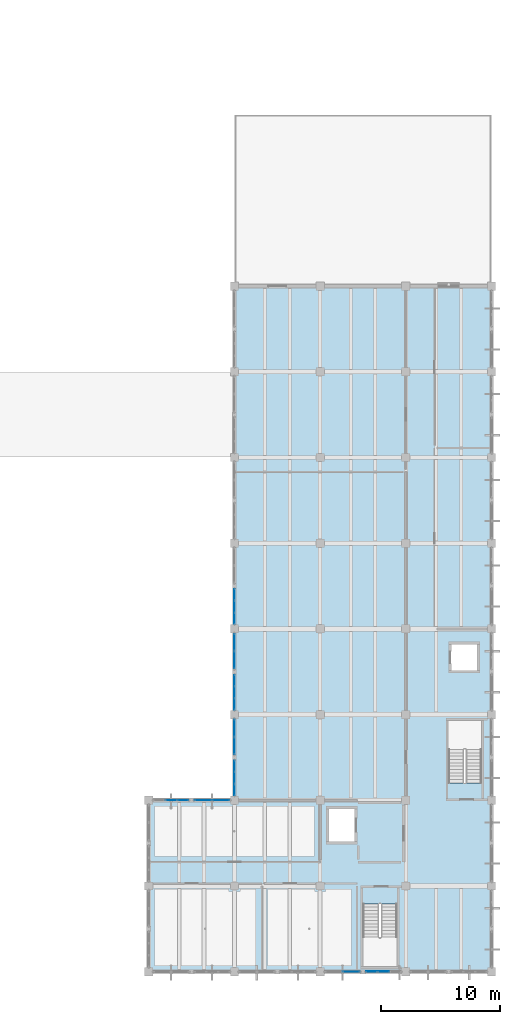
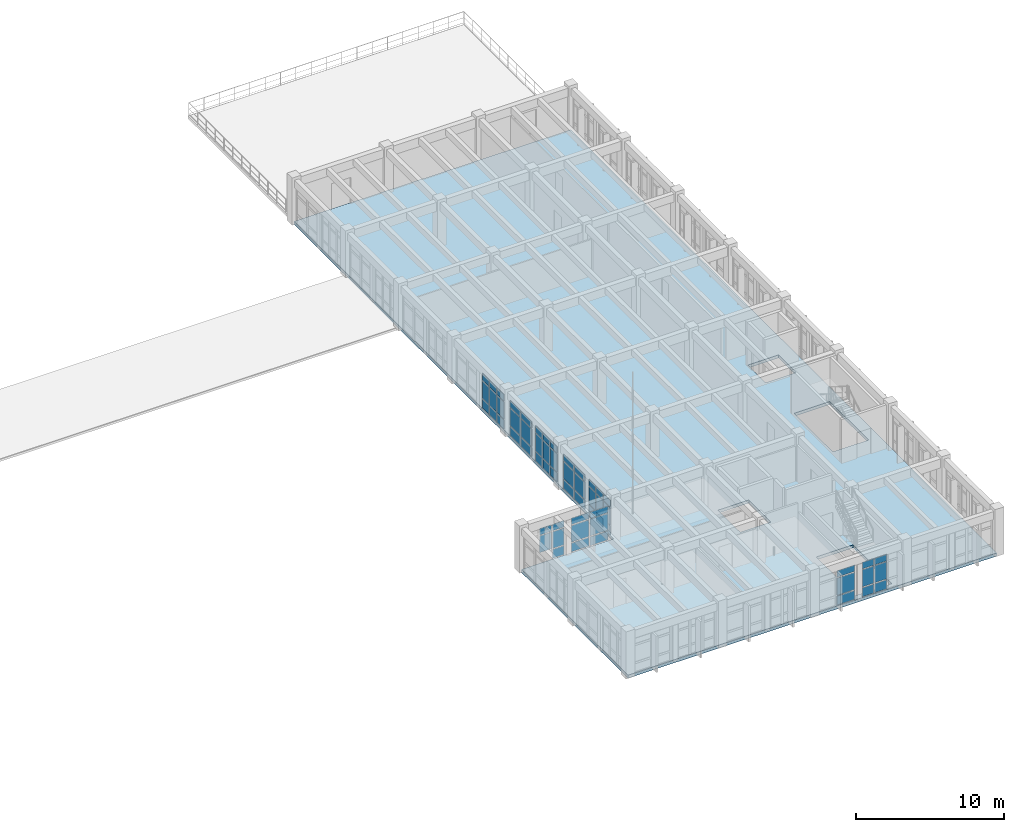
# One storey, part 26 of 54: 59 plates, 1 slab, 9 elements without a shape of their own.
"""IFC4 building model written with IfcOpenShell, lengths in metres."""

from ifc_helpers import new_model, si_unit, direction, frame, origin, origin_2d, place, context, subcontext, project, spatial, polyline, rectangle, outline, extrude, material, layer, layer_set, type_object, element, aggregate, save


model = new_model("IFC4")

# Units and contexts
model_context = context("Model", 3, precision=1e-05, world=origin(), true_north=direction((0.0, 1.0)))
body_context = subcontext(model_context, "Body", "Model", "MODEL_VIEW")
ifc_project = project(units=[si_unit("LENGTHUNIT", "METRE"), si_unit("AREAUNIT", "SQUARE_METRE"), si_unit("VOLUMEUNIT", "CUBIC_METRE"), si_unit("PLANEANGLEUNIT", "RADIAN"), si_unit("MASSUNIT", "GRAM", prefix="KILO")], contexts=[model_context])

# Site, building, storey
site_placement = place(None, origin())
site = spatial("IfcSite", under=ifc_project, at=site_placement, CompositionType="ELEMENT")
building_placement = place(site_placement, origin())
building = spatial("IfcBuilding", under=site, at=building_placement, Name="Koriwan Promenade Central Fire Station", CompositionType="ELEMENT")
storey_placement = place(building_placement, frame((0.0, 0.0, 9.60009765625)))
storey = spatial("IfcBuildingStorey", under=building, at=storey_placement, Name="L02", CompositionType="ELEMENT", Elevation=9.60009765625)

# Curtain wall, plates
ifc_material_1 = material(Name="Aluminium EN AW-6063-T6 and low-E glazing", Category="aluminium")
ifc_layer_1 = layer(ifc_material_1, 0.159912109375, Name="Aluminium EN AW-6063-T6 and low-E glazing")
ifc_layer_set_1 = layer_set([ifc_layer_1], Name="Aluminium EN AW-6063-T6 and low-E glazing")
curtain_wall_type_1 = type_object("IfcCurtainWallType", Name="CurtainWall_10_305x299", PredefinedType="USERDEFINED", material=ifc_layer_set_1)
curtain_wall_1_placement = place(storey_placement, origin())
curtain_wall_1 = element("IfcCurtainWall", 1, at=curtain_wall_1_placement, inside=storey, type_object=curtain_wall_type_1, Name="V5 L02 unitised curtain wall 212", ObjectType="UNITISED CURTAIN WALL", PredefinedType="USERDEFINED")
ifc_material_2 = material(Name="Low-E laminated double glazing", Category="glass")
ifc_layer_2 = layer(ifc_material_2, 0.028076171875, Name="Low-E laminated double glazing")
ifc_layer_set_2 = layer_set([ifc_layer_2], Name="Low-E laminated double glazing")
plate_type_1 = type_object("IfcPlateType", Name="CWPanel_28", PredefinedType="CURTAIN_PANEL", material=ifc_layer_set_2)
plate_1_placement = place(storey_placement, frame((161.017578125, 0.0, 0.079833984375), z_axis=(0.0, 0.0, 1.0), x_axis=(-1.0, 0.0, 0.0)))
plate_1 = element("IfcPlate", 2, at=plate_1_placement, type_object=plate_type_1, Name="CW-10 panel 1.1", PredefinedType="CURTAIN_PANEL", context=body_context, shape_type="SweptSolid", body=[
    extrude(rectangle(XDim=1.405029296875, YDim=0.028076171875, at=origin_2d()), origin(), (0.0, 0.0, 1.0), 0.72998046875),
])
plate_2_placement = place(storey_placement, frame((161.017578125, 0.0, 0.89013671875), z_axis=(0.0, 0.0, 1.0), x_axis=(-1.0, 0.0, 0.0)))
plate_2 = element("IfcPlate", 3, at=plate_2_placement, type_object=plate_type_1, Name="CW-10 panel 1.2", PredefinedType="CURTAIN_PANEL", context=body_context, shape_type="SweptSolid", body=[
    extrude(rectangle(XDim=1.405029296875, YDim=0.028076171875, at=origin_2d()), origin(), (0.0, 0.0, 1.0), 1.409912109375),
])
plate_3_placement = place(storey_placement, frame((161.017578125, 0.0, 2.3798828125), z_axis=(0.0, 0.0, 1.0), x_axis=(-1.0, 0.0, 0.0)))
plate_3 = element("IfcPlate", 4, at=plate_3_placement, type_object=plate_type_1, Name="CW-10 panel 1.3", PredefinedType="CURTAIN_PANEL", context=body_context, shape_type="SweptSolid", body=[
    extrude(rectangle(XDim=1.405029296875, YDim=0.028076171875, at=origin_2d()), origin(), (0.0, 0.0, 1.0), 0.530029296875),
])
aggregate(curtain_wall_1, [plate_1, plate_2, plate_3])

ifc_layer_3 = layer(ifc_material_1, 0.159912109375, Name="Aluminium EN AW-6063-T6 and low-E glazing")
ifc_layer_set_3 = layer_set([ifc_layer_3], Name="Aluminium EN AW-6063-T6 and low-E glazing")
curtain_wall_type_2 = type_object("IfcCurtainWallType", Name="CurtainWall_79_305x295", PredefinedType="USERDEFINED", material=ifc_layer_set_3)
curtain_wall_2_placement = place(storey_placement, origin())
curtain_wall_2 = element("IfcCurtainWall", 5, at=curtain_wall_2_placement, inside=storey, type_object=curtain_wall_type_2, Name="V5 L02 unitised curtain wall 222", ObjectType="UNITISED CURTAIN WALL", PredefinedType="USERDEFINED")
plate_4_placement = place(storey_placement, frame((148.58251953125, 14.39990234375, 0.079833984375), z_axis=(0.0, 0.0, 1.0), x_axis=(1.0, 0.0, 0.0)))
plate_4 = element("IfcPlate", 6, at=plate_4_placement, type_object=plate_type_1, Name="CW-79 panel 1.1", PredefinedType="CURTAIN_PANEL", context=body_context, shape_type="SweptSolid", body=[
    extrude(rectangle(XDim=1.405029296875, YDim=0.028076171875, at=origin_2d()), origin(), (0.0, 0.0, 1.0), 0.72998046875),
])
plate_5_placement = place(storey_placement, frame((148.58251953125, 14.39990234375, 0.889892578125), z_axis=(0.0, 0.0, 1.0), x_axis=(1.0, 0.0, 0.0)))
plate_5 = element("IfcPlate", 7, at=plate_5_placement, type_object=plate_type_1, Name="CW-79 panel 1.2", PredefinedType="CURTAIN_PANEL", context=body_context, shape_type="SweptSolid", body=[
    extrude(rectangle(XDim=1.405029296875, YDim=0.028076171875, at=origin_2d()), origin(), (0.0, 0.0, 1.0), 1.3701171875),
])
plate_6_placement = place(storey_placement, frame((148.58251953125, 14.39990234375, 2.33984375), z_axis=(0.0, 0.0, 1.0), x_axis=(1.0, 0.0, 0.0)))
plate_6 = element("IfcPlate", 8, at=plate_6_placement, type_object=plate_type_1, Name="CW-79 panel 1.3", PredefinedType="CURTAIN_PANEL", context=body_context, shape_type="SweptSolid", body=[
    extrude(rectangle(XDim=1.405029296875, YDim=0.028076171875, at=origin_2d()), origin(), (0.0, 0.0, 1.0), 0.530029296875),
])
plate_7_placement = place(storey_placement, frame((150.0673828125, 14.39990234375, 0.079833984375), z_axis=(0.0, 0.0, 1.0), x_axis=(1.0, 0.0, 0.0)))
plate_7 = element("IfcPlate", 9, at=plate_7_placement, type_object=plate_type_1, Name="CW-79 panel 2.1", PredefinedType="CURTAIN_PANEL", context=body_context, shape_type="SweptSolid", body=[
    extrude(rectangle(XDim=1.405029296875, YDim=0.028076171875, at=origin_2d()), origin(), (0.0, 0.0, 1.0), 0.72998046875),
])
plate_8_placement = place(storey_placement, frame((150.0673828125, 14.39990234375, 0.889892578125), z_axis=(0.0, 0.0, 1.0), x_axis=(1.0, 0.0, 0.0)))
plate_8 = element("IfcPlate", 10, at=plate_8_placement, type_object=plate_type_1, Name="CW-79 panel 2.2", PredefinedType="CURTAIN_PANEL", context=body_context, shape_type="SweptSolid", body=[
    extrude(rectangle(XDim=1.405029296875, YDim=0.028076171875, at=origin_2d()), origin(), (0.0, 0.0, 1.0), 1.3701171875),
])
plate_9_placement = place(storey_placement, frame((150.0673828125, 14.39990234375, 2.33984375), z_axis=(0.0, 0.0, 1.0), x_axis=(1.0, 0.0, 0.0)))
plate_9 = element("IfcPlate", 11, at=plate_9_placement, type_object=plate_type_1, Name="CW-79 panel 2.3", PredefinedType="CURTAIN_PANEL", context=body_context, shape_type="SweptSolid", body=[
    extrude(rectangle(XDim=1.405029296875, YDim=0.028076171875, at=origin_2d()), origin(), (0.0, 0.0, 1.0), 0.530029296875),
])
aggregate(curtain_wall_2, [plate_4, plate_5, plate_6, plate_7, plate_8, plate_9])

curtain_wall_3_placement = place(storey_placement, origin())
curtain_wall_3 = element("IfcCurtainWall", 12, at=curtain_wall_3_placement, inside=storey, type_object=curtain_wall_type_1, Name="V5 L02 unitised curtain wall 224", ObjectType="UNITISED CURTAIN WALL", PredefinedType="USERDEFINED")
plate_10_placement = place(storey_placement, frame((151.199951171875, 18.982421875, 0.079833984375), z_axis=(0.0, 0.0, 1.0), x_axis=(0.0, 1.0, 0.0)))
plate_10 = element("IfcPlate", 13, at=plate_10_placement, type_object=plate_type_1, Name="CW-10 panel 1.1", PredefinedType="CURTAIN_PANEL", context=body_context, shape_type="SweptSolid", body=[
    extrude(rectangle(XDim=1.405029296875, YDim=0.028076171875, at=origin_2d()), origin(), (0.0, 0.0, 1.0), 0.72998046875),
])
plate_11_placement = place(storey_placement, frame((151.199951171875, 18.982421875, 0.89013671875), z_axis=(0.0, 0.0, 1.0), x_axis=(0.0, 1.0, 0.0)))
plate_11 = element("IfcPlate", 14, at=plate_11_placement, type_object=plate_type_1, Name="CW-10 panel 1.2", PredefinedType="CURTAIN_PANEL", context=body_context, shape_type="SweptSolid", body=[
    extrude(rectangle(XDim=1.405029296875, YDim=0.028076171875, at=origin_2d()), origin(), (0.0, 0.0, 1.0), 1.409912109375),
])
plate_12_placement = place(storey_placement, frame((151.199951171875, 18.982421875, 2.3798828125), z_axis=(0.0, 0.0, 1.0), x_axis=(0.0, 1.0, 0.0)))
plate_12 = element("IfcPlate", 15, at=plate_12_placement, type_object=plate_type_1, Name="CW-10 panel 1.3", PredefinedType="CURTAIN_PANEL", context=body_context, shape_type="SweptSolid", body=[
    extrude(rectangle(XDim=1.405029296875, YDim=0.028076171875, at=origin_2d()), origin(), (0.0, 0.0, 1.0), 0.530029296875),
])
plate_13_placement = place(storey_placement, frame((151.199951171875, 20.467529296875, 0.079833984375), z_axis=(0.0, 0.0, 1.0), x_axis=(0.0, 1.0, 0.0)))
plate_13 = element("IfcPlate", 16, at=plate_13_placement, type_object=plate_type_1, Name="CW-10 panel 2.1", PredefinedType="CURTAIN_PANEL", context=body_context, shape_type="SweptSolid", body=[
    extrude(rectangle(XDim=1.405029296875, YDim=0.028076171875, at=origin_2d()), origin(), (0.0, 0.0, 1.0), 0.72998046875),
])
plate_14_placement = place(storey_placement, frame((151.199951171875, 20.467529296875, 0.89013671875), z_axis=(0.0, 0.0, 1.0), x_axis=(0.0, 1.0, 0.0)))
plate_14 = element("IfcPlate", 17, at=plate_14_placement, type_object=plate_type_1, Name="CW-10 panel 2.2", PredefinedType="CURTAIN_PANEL", context=body_context, shape_type="SweptSolid", body=[
    extrude(rectangle(XDim=1.405029296875, YDim=0.028076171875, at=origin_2d()), origin(), (0.0, 0.0, 1.0), 1.409912109375),
])
plate_15_placement = place(storey_placement, frame((151.199951171875, 20.467529296875, 2.3798828125), z_axis=(0.0, 0.0, 1.0), x_axis=(0.0, 1.0, 0.0)))
plate_15 = element("IfcPlate", 18, at=plate_15_placement, type_object=plate_type_1, Name="CW-10 panel 2.3", PredefinedType="CURTAIN_PANEL", context=body_context, shape_type="SweptSolid", body=[
    extrude(rectangle(XDim=1.405029296875, YDim=0.028076171875, at=origin_2d()), origin(), (0.0, 0.0, 1.0), 0.530029296875),
])
aggregate(curtain_wall_3, [plate_10, plate_11, plate_12, plate_13, plate_14, plate_15])

ifc_layer_4 = layer(ifc_material_1, 0.159912109375, Name="Aluminium EN AW-6063-T6 and low-E glazing")
ifc_layer_set_4 = layer_set([ifc_layer_4], Name="Aluminium EN AW-6063-T6 and low-E glazing")
curtain_wall_type_3 = type_object("IfcCurtainWallType", Name="CurtainWall_81_305x304", PredefinedType="USERDEFINED", material=ifc_layer_set_4)
curtain_wall_4_placement = place(storey_placement, origin())
curtain_wall_4 = element("IfcCurtainWall", 19, at=curtain_wall_4_placement, inside=storey, type_object=curtain_wall_type_3, Name="V5 L02 unitised curtain wall 226", ObjectType="UNITISED CURTAIN WALL", PredefinedType="USERDEFINED")
plate_16_placement = place(storey_placement, frame((151.199951171875, 26.1826171875, 0.079833984375), z_axis=(0.0, 0.0, 1.0), x_axis=(0.0, 1.0, 0.0)))
plate_16 = element("IfcPlate", 20, at=plate_16_placement, type_object=plate_type_1, Name="CW-81 panel 1.1", PredefinedType="CURTAIN_PANEL", context=body_context, shape_type="SweptSolid", body=[
    extrude(rectangle(XDim=1.405029296875, YDim=0.028076171875, at=origin_2d()), origin(), (0.0, 0.0, 1.0), 0.72998046875),
])
plate_17_placement = place(storey_placement, frame((151.199951171875, 26.1826171875, 0.889892578125), z_axis=(0.0, 0.0, 1.0), x_axis=(0.0, 1.0, 0.0)))
plate_17 = element("IfcPlate", 21, at=plate_17_placement, type_object=plate_type_1, Name="CW-81 panel 1.2", PredefinedType="CURTAIN_PANEL", context=body_context, shape_type="SweptSolid", body=[
    extrude(rectangle(XDim=1.405029296875, YDim=0.028076171875, at=origin_2d()), origin(), (0.0, 0.0, 1.0), 1.4599609375),
])
plate_18_placement = place(storey_placement, frame((151.199951171875, 26.1826171875, 2.4296875), z_axis=(0.0, 0.0, 1.0), x_axis=(0.0, 1.0, 0.0)))
plate_18 = element("IfcPlate", 22, at=plate_18_placement, type_object=plate_type_1, Name="CW-81 panel 1.3", PredefinedType="CURTAIN_PANEL", context=body_context, shape_type="SweptSolid", body=[
    extrude(rectangle(XDim=1.405029296875, YDim=0.028076171875, at=origin_2d()), origin(), (0.0, 0.0, 1.0), 0.530029296875),
])
plate_19_placement = place(storey_placement, frame((151.199951171875, 27.66748046875, 0.079833984375), z_axis=(0.0, 0.0, 1.0), x_axis=(0.0, 1.0, 0.0)))
plate_19 = element("IfcPlate", 23, at=plate_19_placement, type_object=plate_type_1, Name="CW-81 panel 2.1", PredefinedType="CURTAIN_PANEL", context=body_context, shape_type="SweptSolid", body=[
    extrude(rectangle(XDim=1.405029296875, YDim=0.028076171875, at=origin_2d()), origin(), (0.0, 0.0, 1.0), 0.72998046875),
])
plate_20_placement = place(storey_placement, frame((151.199951171875, 27.66748046875, 0.889892578125), z_axis=(0.0, 0.0, 1.0), x_axis=(0.0, 1.0, 0.0)))
plate_20 = element("IfcPlate", 24, at=plate_20_placement, type_object=plate_type_1, Name="CW-81 panel 2.2", PredefinedType="CURTAIN_PANEL", context=body_context, shape_type="SweptSolid", body=[
    extrude(rectangle(XDim=1.405029296875, YDim=0.028076171875, at=origin_2d()), origin(), (0.0, 0.0, 1.0), 1.4599609375),
])
plate_21_placement = place(storey_placement, frame((151.199951171875, 27.66748046875, 2.4296875), z_axis=(0.0, 0.0, 1.0), x_axis=(0.0, 1.0, 0.0)))
plate_21 = element("IfcPlate", 25, at=plate_21_placement, type_object=plate_type_1, Name="CW-81 panel 2.3", PredefinedType="CURTAIN_PANEL", context=body_context, shape_type="SweptSolid", body=[
    extrude(rectangle(XDim=1.405029296875, YDim=0.028076171875, at=origin_2d()), origin(), (0.0, 0.0, 1.0), 0.530029296875),
])
aggregate(curtain_wall_4, [plate_16, plate_17, plate_18, plate_19, plate_20, plate_21])

ifc_layer_5 = layer(ifc_material_1, 0.159912109375, Name="Aluminium EN AW-6063-T6 and low-E glazing")
ifc_layer_set_5 = layer_set([ifc_layer_5], Name="Aluminium EN AW-6063-T6 and low-E glazing")
curtain_wall_type_4 = type_object("IfcCurtainWallType", Name="CurtainWall_73_305x299", PredefinedType="USERDEFINED", material=ifc_layer_set_5)
curtain_wall_5_placement = place(storey_placement, origin())
curtain_wall_5 = element("IfcCurtainWall", 26, at=curtain_wall_5_placement, inside=storey, type_object=curtain_wall_type_4, Name="V5 L02 unitised curtain wall 211", ObjectType="UNITISED CURTAIN WALL", PredefinedType="USERDEFINED")
ifc_material_3 = material(Name="Solar-control low-E acoustic glazing", Category="glass")
ifc_layer_6 = layer(ifc_material_3, 0.031982421875, Name="Solar-control low-E acoustic glazing")
ifc_layer_set_6 = layer_set([ifc_layer_6], Name="Solar-control low-E acoustic glazing")
plate_type_2 = type_object("IfcPlateType", Name="CWPanel_32", PredefinedType="CURTAIN_PANEL", material=ifc_layer_set_6)
plate_22_placement = place(storey_placement, frame((163.72509765625, 0.0, 0.07470703125), z_axis=(0.0, 0.0, 1.0), x_axis=(-1.0, 0.0, 0.0)))
plate_22 = element("IfcPlate", 27, at=plate_22_placement, type_object=plate_type_2, Name="CW-73 panel 2.1", PredefinedType="CURTAIN_PANEL", context=body_context, shape_type="SweptSolid", body=[
    extrude(rectangle(XDim=0.941650390625, YDim=0.031982421875, at=origin_2d()), origin(), (0.0, 0.0, 1.0), 0.737548828125),
])
plate_23_placement = place(storey_placement, frame((163.72509765625, 0.0, 0.887451171875), z_axis=(0.0, 0.0, 1.0), x_axis=(-1.0, 0.0, 0.0)))
plate_23 = element("IfcPlate", 28, at=plate_23_placement, type_object=plate_type_2, Name="CW-73 panel 2.2", PredefinedType="CURTAIN_PANEL", context=body_context, shape_type="SweptSolid", body=[
    extrude(rectangle(XDim=0.941650390625, YDim=0.031982421875, at=origin_2d()), origin(), (0.0, 0.0, 1.0), 1.4150390625),
])
plate_24_placement = place(storey_placement, frame((163.72509765625, 0.0, 2.37744140625), z_axis=(0.0, 0.0, 1.0), x_axis=(-1.0, 0.0, 0.0)))
plate_24 = element("IfcPlate", 29, at=plate_24_placement, type_object=plate_type_2, Name="CW-73 panel 2.3", PredefinedType="CURTAIN_PANEL", context=body_context, shape_type="SweptSolid", body=[
    extrude(rectangle(XDim=0.941650390625, YDim=0.031982421875, at=origin_2d()), origin(), (0.0, 0.0, 1.0), 0.53759765625),
])
plate_25_placement = place(storey_placement, frame((162.72705078125, 0.0, 0.07470703125), z_axis=(0.0, 0.0, 1.0), x_axis=(-1.0, 0.0, 0.0)))
plate_25 = element("IfcPlate", 30, at=plate_25_placement, type_object=plate_type_2, Name="CW-73 panel 3.1", PredefinedType="CURTAIN_PANEL", context=body_context, shape_type="SweptSolid", body=[
    extrude(rectangle(XDim=0.904052734375, YDim=0.031982421875, at=origin_2d()), origin(), (0.0, 0.0, 1.0), 0.737548828125),
])
plate_26_placement = place(storey_placement, frame((162.72705078125, 0.0, 0.887451171875), z_axis=(0.0, 0.0, 1.0), x_axis=(-1.0, 0.0, 0.0)))
plate_26 = element("IfcPlate", 31, at=plate_26_placement, type_object=plate_type_2, Name="CW-73 panel 3.2", PredefinedType="CURTAIN_PANEL", context=body_context, shape_type="SweptSolid", body=[
    extrude(rectangle(XDim=0.904052734375, YDim=0.031982421875, at=origin_2d()), origin(), (0.0, 0.0, 1.0), 1.4150390625),
])
plate_27_placement = place(storey_placement, frame((162.72705078125, 0.0, 2.37744140625), z_axis=(0.0, 0.0, 1.0), x_axis=(-1.0, 0.0, 0.0)))
plate_27 = element("IfcPlate", 32, at=plate_27_placement, type_object=plate_type_2, Name="CW-73 panel 3.3", PredefinedType="CURTAIN_PANEL", context=body_context, shape_type="SweptSolid", body=[
    extrude(rectangle(XDim=0.904052734375, YDim=0.031982421875, at=origin_2d()), origin(), (0.0, 0.0, 1.0), 0.53759765625),
])
aggregate(curtain_wall_5, [plate_22, plate_23, plate_24, plate_25, plate_26, plate_27])

ifc_layer_7 = layer(ifc_material_1, 0.159912109375, Name="Aluminium EN AW-6063-T6 and low-E glazing")
ifc_layer_set_7 = layer_set([ifc_layer_7], Name="Aluminium EN AW-6063-T6 and low-E glazing")
curtain_wall_type_5 = type_object("IfcCurtainWallType", Name="CurtainWall_78_305x295", PredefinedType="USERDEFINED", material=ifc_layer_set_7)
curtain_wall_6_placement = place(storey_placement, origin())
curtain_wall_6 = element("IfcCurtainWall", 33, at=curtain_wall_6_placement, inside=storey, type_object=curtain_wall_type_5, Name="V5 L02 unitised curtain wall 221", ObjectType="UNITISED CURTAIN WALL", PredefinedType="USERDEFINED")
plate_28_placement = place(storey_placement, frame((145.875, 14.39990234375, 0.887451171875), z_axis=(0.0, 0.0, 1.0), x_axis=(1.0, 0.0, 0.0)))
plate_28 = element("IfcPlate", 34, at=plate_28_placement, type_object=plate_type_2, Name="CW-78 panel 2.2", PredefinedType="CURTAIN_PANEL", context=body_context, shape_type="SweptSolid", body=[
    extrude(rectangle(XDim=0.941650390625, YDim=0.031982421875, at=origin_2d()), origin(), (0.0, 0.0, 1.0), 1.375),
])
plate_29_placement = place(storey_placement, frame((145.875, 14.39990234375, 2.33740234375), z_axis=(0.0, 0.0, 1.0), x_axis=(1.0, 0.0, 0.0)))
plate_29 = element("IfcPlate", 35, at=plate_29_placement, type_object=plate_type_2, Name="CW-78 panel 2.3", PredefinedType="CURTAIN_PANEL", context=body_context, shape_type="SweptSolid", body=[
    extrude(rectangle(XDim=0.941650390625, YDim=0.031982421875, at=origin_2d()), origin(), (0.0, 0.0, 1.0), 0.53759765625),
])
plate_30_placement = place(storey_placement, frame((146.872802734375, 14.39990234375, 0.07470703125), z_axis=(0.0, 0.0, 1.0), x_axis=(1.0, 0.0, 0.0)))
plate_30 = element("IfcPlate", 36, at=plate_30_placement, type_object=plate_type_2, Name="CW-78 panel 3.1", PredefinedType="CURTAIN_PANEL", context=body_context, shape_type="SweptSolid", body=[
    extrude(rectangle(XDim=0.904052734375, YDim=0.031982421875, at=origin_2d()), origin(), (0.0, 0.0, 1.0), 0.737548828125),
])
plate_31_placement = place(storey_placement, frame((146.872802734375, 14.39990234375, 0.887451171875), z_axis=(0.0, 0.0, 1.0), x_axis=(1.0, 0.0, 0.0)))
plate_31 = element("IfcPlate", 37, at=plate_31_placement, type_object=plate_type_2, Name="CW-78 panel 3.2", PredefinedType="CURTAIN_PANEL", context=body_context, shape_type="SweptSolid", body=[
    extrude(rectangle(XDim=0.904052734375, YDim=0.031982421875, at=origin_2d()), origin(), (0.0, 0.0, 1.0), 1.375),
])
plate_32_placement = place(storey_placement, frame((146.872802734375, 14.39990234375, 2.33740234375), z_axis=(0.0, 0.0, 1.0), x_axis=(1.0, 0.0, 0.0)))
plate_32 = element("IfcPlate", 38, at=plate_32_placement, type_object=plate_type_2, Name="CW-78 panel 3.3", PredefinedType="CURTAIN_PANEL", context=body_context, shape_type="SweptSolid", body=[
    extrude(rectangle(XDim=0.904052734375, YDim=0.031982421875, at=origin_2d()), origin(), (0.0, 0.0, 1.0), 0.53759765625),
])
aggregate(curtain_wall_6, [plate_28, plate_29, plate_30, plate_31, plate_32])

curtain_wall_7_placement = place(storey_placement, origin())
curtain_wall_7 = element("IfcCurtainWall", 39, at=curtain_wall_7_placement, inside=storey, type_object=curtain_wall_type_4, Name="V5 L02 unitised curtain wall 223", ObjectType="UNITISED CURTAIN WALL", PredefinedType="USERDEFINED")
plate_33_placement = place(storey_placement, frame((151.199951171875, 15.277099609375, 0.07470703125), z_axis=(0.0, 0.0, 1.0), x_axis=(0.0, 1.0, 0.0)))
plate_33 = element("IfcPlate", 40, at=plate_33_placement, type_object=plate_type_2, Name="CW-73 panel 1.1", PredefinedType="CURTAIN_PANEL", context=body_context, shape_type="SweptSolid", body=[
    extrude(rectangle(XDim=0.904052734375, YDim=0.031982421875, at=origin_2d()), origin(), (0.0, 0.0, 1.0), 0.737548828125),
])
plate_34_placement = place(storey_placement, frame((151.199951171875, 15.277099609375, 0.887451171875), z_axis=(0.0, 0.0, 1.0), x_axis=(0.0, 1.0, 0.0)))
plate_34 = element("IfcPlate", 41, at=plate_34_placement, type_object=plate_type_2, Name="CW-73 panel 1.2", PredefinedType="CURTAIN_PANEL", context=body_context, shape_type="SweptSolid", body=[
    extrude(rectangle(XDim=0.904052734375, YDim=0.031982421875, at=origin_2d()), origin(), (0.0, 0.0, 1.0), 1.4150390625),
])
plate_35_placement = place(storey_placement, frame((151.199951171875, 15.277099609375, 2.37744140625), z_axis=(0.0, 0.0, 1.0), x_axis=(0.0, 1.0, 0.0)))
plate_35 = element("IfcPlate", 42, at=plate_35_placement, type_object=plate_type_2, Name="CW-73 panel 1.3", PredefinedType="CURTAIN_PANEL", context=body_context, shape_type="SweptSolid", body=[
    extrude(rectangle(XDim=0.904052734375, YDim=0.031982421875, at=origin_2d()), origin(), (0.0, 0.0, 1.0), 0.53759765625),
])
plate_36_placement = place(storey_placement, frame((151.199951171875, 16.27490234375, 0.07470703125), z_axis=(0.0, 0.0, 1.0), x_axis=(0.0, 1.0, 0.0)))
plate_36 = element("IfcPlate", 43, at=plate_36_placement, type_object=plate_type_2, Name="CW-73 panel 2.1", PredefinedType="CURTAIN_PANEL", context=body_context, shape_type="SweptSolid", body=[
    extrude(rectangle(XDim=0.941650390625, YDim=0.031982421875, at=origin_2d()), origin(), (0.0, 0.0, 1.0), 0.737548828125),
])
plate_37_placement = place(storey_placement, frame((151.199951171875, 16.27490234375, 0.887451171875), z_axis=(0.0, 0.0, 1.0), x_axis=(0.0, 1.0, 0.0)))
plate_37 = element("IfcPlate", 44, at=plate_37_placement, type_object=plate_type_2, Name="CW-73 panel 2.2", PredefinedType="CURTAIN_PANEL", context=body_context, shape_type="SweptSolid", body=[
    extrude(rectangle(XDim=0.941650390625, YDim=0.031982421875, at=origin_2d()), origin(), (0.0, 0.0, 1.0), 1.4150390625),
])
plate_38_placement = place(storey_placement, frame((151.199951171875, 16.27490234375, 2.37744140625), z_axis=(0.0, 0.0, 1.0), x_axis=(0.0, 1.0, 0.0)))
plate_38 = element("IfcPlate", 45, at=plate_38_placement, type_object=plate_type_2, Name="CW-73 panel 2.3", PredefinedType="CURTAIN_PANEL", context=body_context, shape_type="SweptSolid", body=[
    extrude(rectangle(XDim=0.941650390625, YDim=0.031982421875, at=origin_2d()), origin(), (0.0, 0.0, 1.0), 0.53759765625),
])
plate_39_placement = place(storey_placement, frame((151.199951171875, 17.27294921875, 0.07470703125), z_axis=(0.0, 0.0, 1.0), x_axis=(0.0, 1.0, 0.0)))
plate_39 = element("IfcPlate", 46, at=plate_39_placement, type_object=plate_type_2, Name="CW-73 panel 3.1", PredefinedType="CURTAIN_PANEL", context=body_context, shape_type="SweptSolid", body=[
    extrude(rectangle(XDim=0.904052734375, YDim=0.031982421875, at=origin_2d()), origin(), (0.0, 0.0, 1.0), 0.737548828125),
])
plate_40_placement = place(storey_placement, frame((151.199951171875, 17.27294921875, 0.887451171875), z_axis=(0.0, 0.0, 1.0), x_axis=(0.0, 1.0, 0.0)))
plate_40 = element("IfcPlate", 47, at=plate_40_placement, type_object=plate_type_2, Name="CW-73 panel 3.2", PredefinedType="CURTAIN_PANEL", context=body_context, shape_type="SweptSolid", body=[
    extrude(rectangle(XDim=0.904052734375, YDim=0.031982421875, at=origin_2d()), origin(), (0.0, 0.0, 1.0), 1.4150390625),
])
plate_41_placement = place(storey_placement, frame((151.199951171875, 17.27294921875, 2.37744140625), z_axis=(0.0, 0.0, 1.0), x_axis=(0.0, 1.0, 0.0)))
plate_41 = element("IfcPlate", 48, at=plate_41_placement, type_object=plate_type_2, Name="CW-73 panel 3.3", PredefinedType="CURTAIN_PANEL", context=body_context, shape_type="SweptSolid", body=[
    extrude(rectangle(XDim=0.904052734375, YDim=0.031982421875, at=origin_2d()), origin(), (0.0, 0.0, 1.0), 0.53759765625),
])
aggregate(curtain_wall_7, [plate_33, plate_34, plate_35, plate_36, plate_37, plate_38, plate_39, plate_40, plate_41])

ifc_layer_8 = layer(ifc_material_1, 0.159912109375, Name="Aluminium EN AW-6063-T6 and low-E glazing")
ifc_layer_set_8 = layer_set([ifc_layer_8], Name="Aluminium EN AW-6063-T6 and low-E glazing")
curtain_wall_type_6 = type_object("IfcCurtainWallType", Name="CurtainWall_80_305x304", PredefinedType="USERDEFINED", material=ifc_layer_set_8)
curtain_wall_8_placement = place(storey_placement, origin())
curtain_wall_8 = element("IfcCurtainWall", 49, at=curtain_wall_8_placement, inside=storey, type_object=curtain_wall_type_6, Name="V5 L02 unitised curtain wall 225", ObjectType="UNITISED CURTAIN WALL", PredefinedType="USERDEFINED")
plate_42_placement = place(storey_placement, frame((151.199951171875, 22.47705078125, 0.07470703125), z_axis=(0.0, 0.0, 1.0), x_axis=(0.0, 1.0, 0.0)))
plate_42 = element("IfcPlate", 50, at=plate_42_placement, type_object=plate_type_2, Name="CW-80 panel 1.1", PredefinedType="CURTAIN_PANEL", context=body_context, shape_type="SweptSolid", body=[
    extrude(rectangle(XDim=0.904052734375, YDim=0.031982421875, at=origin_2d()), origin(), (0.0, 0.0, 1.0), 0.737548828125),
])
plate_43_placement = place(storey_placement, frame((151.199951171875, 22.47705078125, 0.88720703125), z_axis=(0.0, 0.0, 1.0), x_axis=(0.0, 1.0, 0.0)))
plate_43 = element("IfcPlate", 51, at=plate_43_placement, type_object=plate_type_2, Name="CW-80 panel 1.2", PredefinedType="CURTAIN_PANEL", context=body_context, shape_type="SweptSolid", body=[
    extrude(rectangle(XDim=0.904052734375, YDim=0.031982421875, at=origin_2d()), origin(), (0.0, 0.0, 1.0), 1.465087890625),
])
plate_44_placement = place(storey_placement, frame((151.199951171875, 22.47705078125, 2.42724609375), z_axis=(0.0, 0.0, 1.0), x_axis=(0.0, 1.0, 0.0)))
plate_44 = element("IfcPlate", 52, at=plate_44_placement, type_object=plate_type_2, Name="CW-80 panel 1.3", PredefinedType="CURTAIN_PANEL", context=body_context, shape_type="SweptSolid", body=[
    extrude(rectangle(XDim=0.904052734375, YDim=0.031982421875, at=origin_2d()), origin(), (0.0, 0.0, 1.0), 0.53759765625),
])
plate_45_placement = place(storey_placement, frame((151.199951171875, 23.47509765625, 0.07470703125), z_axis=(0.0, 0.0, 1.0), x_axis=(0.0, 1.0, 0.0)))
plate_45 = element("IfcPlate", 53, at=plate_45_placement, type_object=plate_type_2, Name="CW-80 panel 2.1", PredefinedType="CURTAIN_PANEL", context=body_context, shape_type="SweptSolid", body=[
    extrude(rectangle(XDim=0.941650390625, YDim=0.031982421875, at=origin_2d()), origin(), (0.0, 0.0, 1.0), 0.737548828125),
])
plate_46_placement = place(storey_placement, frame((151.199951171875, 23.47509765625, 0.88720703125), z_axis=(0.0, 0.0, 1.0), x_axis=(0.0, 1.0, 0.0)))
plate_46 = element("IfcPlate", 54, at=plate_46_placement, type_object=plate_type_2, Name="CW-80 panel 2.2", PredefinedType="CURTAIN_PANEL", context=body_context, shape_type="SweptSolid", body=[
    extrude(rectangle(XDim=0.941650390625, YDim=0.031982421875, at=origin_2d()), origin(), (0.0, 0.0, 1.0), 1.465087890625),
])
plate_47_placement = place(storey_placement, frame((151.199951171875, 23.47509765625, 2.42724609375), z_axis=(0.0, 0.0, 1.0), x_axis=(0.0, 1.0, 0.0)))
plate_47 = element("IfcPlate", 55, at=plate_47_placement, type_object=plate_type_2, Name="CW-80 panel 2.3", PredefinedType="CURTAIN_PANEL", context=body_context, shape_type="SweptSolid", body=[
    extrude(rectangle(XDim=0.941650390625, YDim=0.031982421875, at=origin_2d()), origin(), (0.0, 0.0, 1.0), 0.53759765625),
])
plate_48_placement = place(storey_placement, frame((151.199951171875, 24.472900390625, 0.07470703125), z_axis=(0.0, 0.0, 1.0), x_axis=(0.0, 1.0, 0.0)))
plate_48 = element("IfcPlate", 56, at=plate_48_placement, type_object=plate_type_2, Name="CW-80 panel 3.1", PredefinedType="CURTAIN_PANEL", context=body_context, shape_type="SweptSolid", body=[
    extrude(rectangle(XDim=0.904052734375, YDim=0.031982421875, at=origin_2d()), origin(), (0.0, 0.0, 1.0), 0.737548828125),
])
plate_49_placement = place(storey_placement, frame((151.199951171875, 24.472900390625, 0.88720703125), z_axis=(0.0, 0.0, 1.0), x_axis=(0.0, 1.0, 0.0)))
plate_49 = element("IfcPlate", 57, at=plate_49_placement, type_object=plate_type_2, Name="CW-80 panel 3.2", PredefinedType="CURTAIN_PANEL", context=body_context, shape_type="SweptSolid", body=[
    extrude(rectangle(XDim=0.904052734375, YDim=0.031982421875, at=origin_2d()), origin(), (0.0, 0.0, 1.0), 1.465087890625),
])
plate_50_placement = place(storey_placement, frame((151.199951171875, 24.472900390625, 2.42724609375), z_axis=(0.0, 0.0, 1.0), x_axis=(0.0, 1.0, 0.0)))
plate_50 = element("IfcPlate", 58, at=plate_50_placement, type_object=plate_type_2, Name="CW-80 panel 3.3", PredefinedType="CURTAIN_PANEL", context=body_context, shape_type="SweptSolid", body=[
    extrude(rectangle(XDim=0.904052734375, YDim=0.031982421875, at=origin_2d()), origin(), (0.0, 0.0, 1.0), 0.53759765625),
])
aggregate(curtain_wall_8, [plate_42, plate_43, plate_44, plate_45, plate_46, plate_47, plate_48, plate_49, plate_50])

curtain_wall_9_placement = place(storey_placement, origin())
curtain_wall_9 = element("IfcCurtainWall", 59, at=curtain_wall_9_placement, inside=storey, type_object=curtain_wall_type_4, Name="V5 L02 unitised curtain wall 227", ObjectType="UNITISED CURTAIN WALL", PredefinedType="USERDEFINED")
plate_51_placement = place(storey_placement, frame((151.199951171875, 29.677001953125, 0.07470703125), z_axis=(0.0, 0.0, 1.0), x_axis=(0.0, 1.0, 0.0)))
plate_51 = element("IfcPlate", 60, at=plate_51_placement, type_object=plate_type_2, Name="CW-73 panel 1.1", PredefinedType="CURTAIN_PANEL", context=body_context, shape_type="SweptSolid", body=[
    extrude(rectangle(XDim=0.904052734375, YDim=0.031982421875, at=origin_2d()), origin(), (0.0, 0.0, 1.0), 0.737548828125),
])
plate_52_placement = place(storey_placement, frame((151.199951171875, 29.677001953125, 0.887451171875), z_axis=(0.0, 0.0, 1.0), x_axis=(0.0, 1.0, 0.0)))
plate_52 = element("IfcPlate", 61, at=plate_52_placement, type_object=plate_type_2, Name="CW-73 panel 1.2", PredefinedType="CURTAIN_PANEL", context=body_context, shape_type="SweptSolid", body=[
    extrude(rectangle(XDim=0.904052734375, YDim=0.031982421875, at=origin_2d()), origin(), (0.0, 0.0, 1.0), 1.4150390625),
])
plate_53_placement = place(storey_placement, frame((151.199951171875, 29.677001953125, 2.37744140625), z_axis=(0.0, 0.0, 1.0), x_axis=(0.0, 1.0, 0.0)))
plate_53 = element("IfcPlate", 62, at=plate_53_placement, type_object=plate_type_2, Name="CW-73 panel 1.3", PredefinedType="CURTAIN_PANEL", context=body_context, shape_type="SweptSolid", body=[
    extrude(rectangle(XDim=0.904052734375, YDim=0.031982421875, at=origin_2d()), origin(), (0.0, 0.0, 1.0), 0.53759765625),
])
plate_54_placement = place(storey_placement, frame((151.199951171875, 30.675048828125, 0.07470703125), z_axis=(0.0, 0.0, 1.0), x_axis=(0.0, 1.0, 0.0)))
plate_54 = element("IfcPlate", 63, at=plate_54_placement, type_object=plate_type_2, Name="CW-73 panel 2.1", PredefinedType="CURTAIN_PANEL", context=body_context, shape_type="SweptSolid", body=[
    extrude(rectangle(XDim=0.941650390625, YDim=0.031982421875, at=origin_2d()), origin(), (0.0, 0.0, 1.0), 0.737548828125),
])
plate_55_placement = place(storey_placement, frame((151.199951171875, 30.675048828125, 0.887451171875), z_axis=(0.0, 0.0, 1.0), x_axis=(0.0, 1.0, 0.0)))
plate_55 = element("IfcPlate", 64, at=plate_55_placement, type_object=plate_type_2, Name="CW-73 panel 2.2", PredefinedType="CURTAIN_PANEL", context=body_context, shape_type="SweptSolid", body=[
    extrude(rectangle(XDim=0.941650390625, YDim=0.031982421875, at=origin_2d()), origin(), (0.0, 0.0, 1.0), 1.4150390625),
])
plate_56_placement = place(storey_placement, frame((151.199951171875, 30.675048828125, 2.37744140625), z_axis=(0.0, 0.0, 1.0), x_axis=(0.0, 1.0, 0.0)))
plate_56 = element("IfcPlate", 65, at=plate_56_placement, type_object=plate_type_2, Name="CW-73 panel 2.3", PredefinedType="CURTAIN_PANEL", context=body_context, shape_type="SweptSolid", body=[
    extrude(rectangle(XDim=0.941650390625, YDim=0.031982421875, at=origin_2d()), origin(), (0.0, 0.0, 1.0), 0.53759765625),
])
plate_57_placement = place(storey_placement, frame((151.199951171875, 31.6728515625, 0.07470703125), z_axis=(0.0, 0.0, 1.0), x_axis=(0.0, 1.0, 0.0)))
plate_57 = element("IfcPlate", 66, at=plate_57_placement, type_object=plate_type_2, Name="CW-73 panel 3.1", PredefinedType="CURTAIN_PANEL", context=body_context, shape_type="SweptSolid", body=[
    extrude(rectangle(XDim=0.904052734375, YDim=0.031982421875, at=origin_2d()), origin(), (0.0, 0.0, 1.0), 0.737548828125),
])
plate_58_placement = place(storey_placement, frame((151.199951171875, 31.6728515625, 0.887451171875), z_axis=(0.0, 0.0, 1.0), x_axis=(0.0, 1.0, 0.0)))
plate_58 = element("IfcPlate", 67, at=plate_58_placement, type_object=plate_type_2, Name="CW-73 panel 3.2", PredefinedType="CURTAIN_PANEL", context=body_context, shape_type="SweptSolid", body=[
    extrude(rectangle(XDim=0.904052734375, YDim=0.031982421875, at=origin_2d()), origin(), (0.0, 0.0, 1.0), 1.4150390625),
])
plate_59_placement = place(storey_placement, frame((151.199951171875, 31.6728515625, 2.37744140625), z_axis=(0.0, 0.0, 1.0), x_axis=(0.0, 1.0, 0.0)))
plate_59 = element("IfcPlate", 68, at=plate_59_placement, type_object=plate_type_2, Name="CW-73 panel 3.3", PredefinedType="CURTAIN_PANEL", context=body_context, shape_type="SweptSolid", body=[
    extrude(rectangle(XDim=0.904052734375, YDim=0.031982421875, at=origin_2d()), origin(), (0.0, 0.0, 1.0), 0.53759765625),
])
aggregate(curtain_wall_9, [plate_51, plate_52, plate_53, plate_54, plate_55, plate_56, plate_57, plate_58, plate_59])

# Slab
ifc_material_4 = material(Name="Concrete C35/45", Category="concrete")
ifc_layer_9 = layer(ifc_material_4, 0.25, Name="Concrete C35/45")
ifc_layer_set_9 = layer_set([ifc_layer_9], Name="Concrete C35/45")
slab_type = type_object("IfcSlabType", Name="FloorSlab_250", PredefinedType="FLOOR", material=ifc_layer_set_9)
slab_placement = place(storey_placement, frame((0.0, 0.0, -0.25)))
element("IfcSlab", 69, at=slab_placement, inside=storey, type_object=slab_type, Name="V5 L02 structural slab 1", PredefinedType="FLOOR", context=body_context, shape_type="SweptSolid", body=[
    extrude(outline(polyline([(172.800048828125, 14.39990234375), (172.800048828125, 0.0), (144.0, 0.0), (144.0, 14.39990234375), (151.199951171875, 14.39990234375), (151.199951171875, 57.60009765625), (172.800048828125, 57.60009765625), (172.800048828125, 14.39990234375)]), holes=[polyline([(162.0, 0.429931640625), (164.85009765625, 0.429931640625), (164.85009765625, 5.697998046875), (162.0, 5.697998046875), (162.0, 0.429931640625)]), polyline([(169.159912109375, 21.110107421875), (169.159912109375, 15.8720703125), (171.949951171875, 15.8720703125), (171.949951171875, 21.110107421875), (169.159912109375, 21.110107421875)]), polyline([(161.39990234375, 13.800048828125), (159.0, 13.800048828125), (159.0, 10.800048828125), (161.39990234375, 10.800048828125), (161.39990234375, 13.800048828125)]), polyline([(169.300048828125, 25.199951171875), (171.699951171875, 25.199951171875), (171.699951171875, 27.60009765625), (169.300048828125, 27.60009765625), (169.300048828125, 25.199951171875)])]), origin(), (0.0, 0.0, 1.0), 0.25),
])

save(model, "model.ifc")
